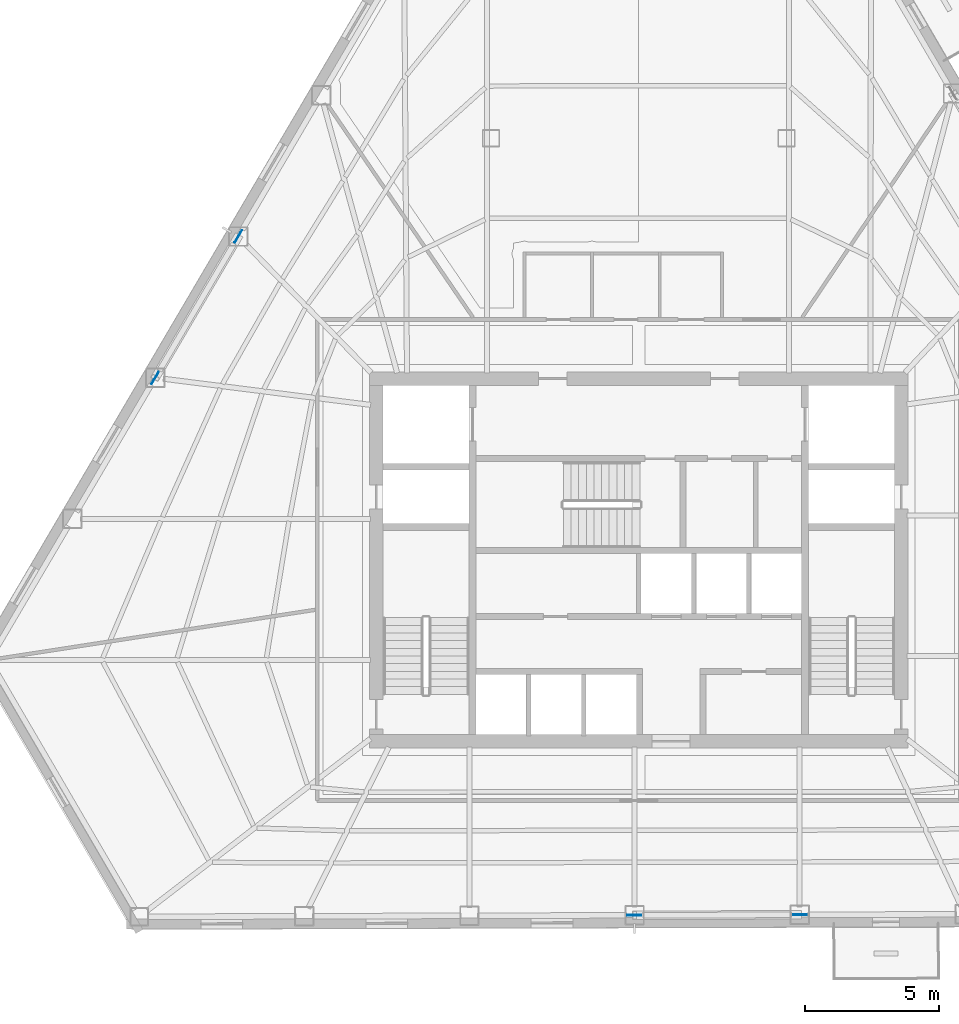
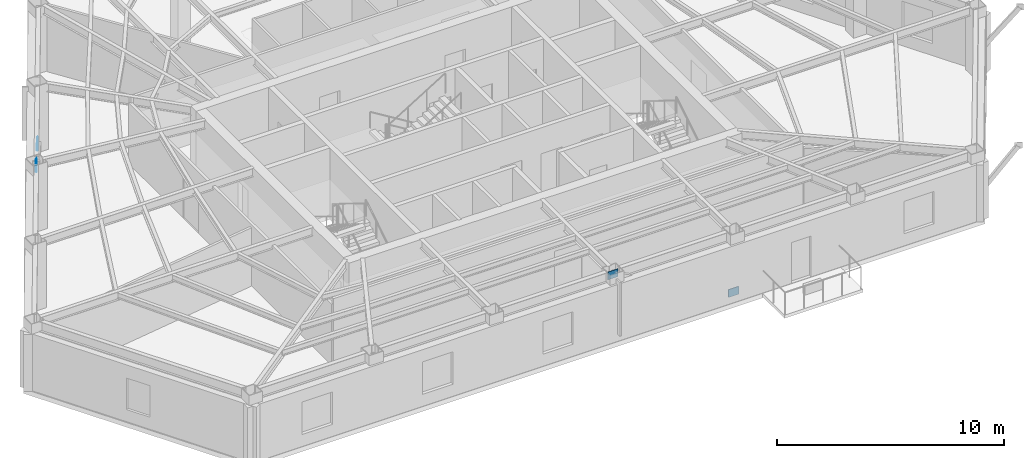
# One storey, part 4 of 10: 4 plates.
"""IFC4 building model written with IfcOpenShell, lengths in metres."""

import ifcopenshell
import ifcopenshell.guid

model = None  # the IFC model being written
_history = None  # IfcOwnerHistory: only IFC2X3 demands one
_inside = {}  # id of a spatial element -> (the spatial element, [elements in it])
_under = {}  # id of a project, library or spatial element -> (it, [spatial elements below it])
_declared = {}  # id of a project -> (the project, [libraries it declares])
_typed = {}  # id of a type object -> (the type object, [elements of that type])
_made_of = {}  # id of a material, layer set ... -> (it, [elements and type objects made of it])


def new_model(schema):
    """Start an empty IFC model of exactly this schema.

    Asked for "IFC4X3", IfcOpenShell would pick the latest addendum, in which some entities
    have other attributes; the version numbers below select the first issue.
    IFC2X3 requires an IfcOwnerHistory on every rooted entity: one is made here for all.
    """
    global model, _history
    if schema == "IFC4X3":
        model = ifcopenshell.file(schema_version=(4, 3, 0, 0))
    else:
        model = ifcopenshell.file(schema=schema)
    _inside.clear()
    _under.clear()
    _declared.clear()
    _typed.clear()
    _made_of.clear()
    _history = None
    if model.schema == "IFC2X3":
        org = make("IfcOrganization", Name="unknown")
        user = make(
            "IfcPersonAndOrganization",
            ThePerson=make("IfcPerson", FamilyName="unknown"),
            TheOrganization=org,
        )
        app = make(
            "IfcApplication",
            ApplicationDeveloper=org,
            Version="unknown",
            ApplicationFullName="unknown",
            ApplicationIdentifier="unknown",
        )
        _history = make(
            "IfcOwnerHistory",
            OwningUser=user,
            OwningApplication=app,
            ChangeAction="ADDED",
            CreationDate=0,
        )
    return model


def make(cls, **values):
    """One entity of the class cls with the attributes given. An attribute that is None is left unset."""
    return model.create_entity(
        cls, **{name: value for name, value in values.items() if value is not None}
    )


def rooted(cls, **values):
    """An entity with a GlobalId (a new one), such as an element, a storey or a relation."""
    return make(cls, GlobalId=ifcopenshell.guid.new(), OwnerHistory=_history, **values)


def si_unit(unit_type, name, prefix=None):
    """IfcSIUnit, for example si_unit("LENGTHUNIT", "METRE", prefix="MILLI")."""
    return make("IfcSIUnit", UnitType=unit_type, Prefix=prefix, Name=name)


def assignment(units):
    """IfcUnitAssignment: the units of a project."""
    return None if units is None else make("IfcUnitAssignment", Units=units)


def point(xyz):
    """IfcCartesianPoint."""
    return None if xyz is None else make("IfcCartesianPoint", Coordinates=xyz)


def direction(xyz):
    """IfcDirection."""
    return None if xyz is None else make("IfcDirection", DirectionRatios=xyz)


def frame(location, z_axis=None, x_axis=None):
    """IfcAxis2Placement3D, a coordinate frame: its origin and axes. An axis left out is left unset."""
    return make(
        "IfcAxis2Placement3D",
        Location=point(location),
        Axis=direction(z_axis),
        RefDirection=direction(x_axis),
    )


def frame_2d(location, x_axis=None):
    """IfcAxis2Placement2D, a coordinate frame in the plane: its origin and x axis."""
    return make(
        "IfcAxis2Placement2D", Location=point(location), RefDirection=direction(x_axis)
    )


def origin():
    """The frame at (0, 0, 0) with its axes left unset."""
    return frame((0.0, 0.0, 0.0))


def origin_2d():
    """The frame at (0, 0) in the plane with its x axis left unset."""
    return frame_2d((0.0, 0.0))


def place(relative_to, where):
    """IfcLocalPlacement: puts the frame where relative to a parent placement (None: the world)."""
    return make(
        "IfcLocalPlacement", PlacementRelTo=relative_to, RelativePlacement=where
    )


def context(
    kind, dimensions, precision=None, world=None, true_north=None, identifier=None
):
    """IfcGeometricRepresentationContext, for example the 3D "Model" context."""
    return make(
        "IfcGeometricRepresentationContext",
        ContextIdentifier=identifier,
        ContextType=kind,
        CoordinateSpaceDimension=dimensions,
        Precision=precision,
        WorldCoordinateSystem=world,
        TrueNorth=true_north,
    )


def subcontext(parent, identifier, kind, view, scale=None):
    """IfcGeometricRepresentationSubContext, for example "Body" below "Model"."""
    return make(
        "IfcGeometricRepresentationSubContext",
        ContextIdentifier=identifier,
        ContextType=kind,
        ParentContext=parent,
        TargetScale=scale,
        TargetView=view,
    )


def project(units=None, contexts=None):
    """IfcProject with its units and contexts."""
    return rooted(
        "IfcProject",
        Name="project",
        RepresentationContexts=contexts,
        UnitsInContext=assignment(units),
    )


def spatial(cls, under=None, at=None, **own):
    """A site, building, storey or space (cls), placed at a placement, below another one or the project."""
    s = rooted(cls, ObjectPlacement=at, **own)
    if under is not None:
        _under.setdefault(under.id(), (under, []))[1].append(s)
    return s


def profile(cls, at=None, kind="AREA", **sizes):
    """A parametric profile (cls). Its sizes go by their IFC names, for example OverallWidth=200.0."""
    return make(cls, ProfileType=kind, Position=at, **sizes)


def rectangle(**sizes):
    """IfcRectangleProfileDef."""
    return profile("IfcRectangleProfileDef", **sizes)


def extrude(swept, where, along, depth):
    """IfcExtrudedAreaSolid: the profile swept, set in the frame where, extruded along a direction by depth."""
    return make(
        "IfcExtrudedAreaSolid",
        SweptArea=swept,
        Position=where,
        ExtrudedDirection=direction(along),
        Depth=depth,
    )


def shape(context_of_items, identifier, shape_type, items):
    """IfcShapeRepresentation: the items that make up one representation, for example the "Body"."""
    return make(
        "IfcShapeRepresentation",
        ContextOfItems=context_of_items,
        RepresentationIdentifier=identifier,
        RepresentationType=shape_type,
        Items=items,
    )


def material(Name=None, Category=None):
    """IfcMaterial."""
    return make("IfcMaterial", Name=Name, Category=Category)


def layer(
    of_material, thickness, ventilated=None, Name=None, Category=None, Priority=None
):
    """IfcMaterialLayer: one layer of a wall or slab, of a material (None: an air gap)."""
    return make(
        "IfcMaterialLayer",
        Material=of_material,
        LayerThickness=thickness,
        IsVentilated=ventilated,
        Name=Name,
        Category=Category,
        Priority=Priority,
    )


def layer_set(layers, Name=None):
    """IfcMaterialLayerSet."""
    return make("IfcMaterialLayerSet", MaterialLayers=layers, LayerSetName=Name)


def made_of(thing, what):
    """Note that an element or type object is made of a material, layer set ...; save() writes the relation."""
    if what is not None:
        _made_of.setdefault(what.id(), (what, []))[1].append(thing)
    return thing


def type_object(cls, material=None, **own):
    """A type object (cls), such as IfcWallType, which elements share."""
    return made_of(rooted(cls, **own), material)


def element(
    cls,
    number,
    at=None,
    inside=None,
    cuts=None,
    type_object=None,
    material=None,
    context=None,
    identifier="Body",
    shape_type=None,
    held_by="IfcProductDefinitionShape",
    body=None,
    shapes=None,
    **own,
):
    """One element of the class cls, such as IfcWall. Its Tag is "e" and its number.

    at: its placement. inside: the storey or other place that contains it. cuts: it is an
    opening in that element (IfcRelVoidsElement). A single representation is given by context,
    identifier, shape_type and body (its items); several are given by shapes. held_by: the class
    of the entity that holds the representations. save() writes the other relations.
    """
    e = rooted(cls, Tag="e%d" % number, ObjectPlacement=at, **own)
    if body is not None:
        shapes = [shape(context, identifier, shape_type, body)]
    if shapes is not None:
        e.Representation = make(held_by, Representations=shapes)
    if inside is not None:
        _inside.setdefault(inside.id(), (inside, []))[1].append(e)
    if cuts is not None:
        rooted(
            "IfcRelVoidsElement", RelatingBuildingElement=cuts, RelatedOpeningElement=e
        )
    if type_object is not None:
        _typed.setdefault(type_object.id(), (type_object, []))[1].append(e)
    return made_of(e, material)


def aggregate(whole, parts):
    """IfcRelAggregates: a whole, such as a stair, and the parts it consists of."""
    return rooted("IfcRelAggregates", RelatingObject=whole, RelatedObjects=parts)


def save(model, path):
    """Write the relations noted so far, then the file.

    IfcRelAggregates (storeys below a building ...), IfcRelContainedInSpatialStructure (elements
    in a storey), IfcRelDefinesByType, IfcRelAssociatesMaterial and IfcRelDeclares: one each for
    every whole, place, type object, material and project.
    """
    for whole, parts in _under.values():
        aggregate(whole, parts)
    for where, things in _inside.values():
        rooted(
            "IfcRelContainedInSpatialStructure",
            RelatedElements=things,
            RelatingStructure=where,
        )
    for kind, things in _typed.values():
        rooted("IfcRelDefinesByType", RelatedObjects=things, RelatingType=kind)
    for what, things in _made_of.values():
        rooted("IfcRelAssociatesMaterial", RelatedObjects=things, RelatingMaterial=what)
    for by, libraries in _declared.values():
        rooted("IfcRelDeclares", RelatingContext=by, RelatedDefinitions=libraries)
    model.write(path)


model = new_model("IFC4")

# Units and contexts
model_context = context("Model", 3, precision=1e-05, world=origin(), true_north=direction((0.0, 1.0)))
body_context = subcontext(model_context, "Body", "Model", "MODEL_VIEW")
ifc_project = project(units=[si_unit("LENGTHUNIT", "METRE"), si_unit("AREAUNIT", "SQUARE_METRE"), si_unit("VOLUMEUNIT", "CUBIC_METRE"), si_unit("PLANEANGLEUNIT", "RADIAN"), si_unit("MASSUNIT", "GRAM", prefix="KILO")], contexts=[model_context])

# Site, building, storey
site_placement = place(None, origin())
site = spatial("IfcSite", under=ifc_project, at=site_placement, CompositionType="ELEMENT")
building_placement = place(site_placement, origin())
building = spatial("IfcBuilding", under=site, at=building_placement, Name="Kavelnor Concourse Tower", CompositionType="ELEMENT")
storey_placement = place(building_placement, frame((0.0, 0.0, 135.550048828125)))
storey = spatial("IfcBuildingStorey", under=building, at=storey_placement, Name="L34", CompositionType="ELEMENT", Elevation=135.550048828125)

# Plates
ifc_material = material(Name="Steel Grade 350", Category="steel")
ifc_layer = layer(ifc_material, 0.031982421875, Name="Steel Grade 350")
ifc_layer_set = layer_set([ifc_layer], Name="Steel Grade 350")
plate_type = type_object("IfcPlateType", Name="PL-GUSSET-TUBE-Z1", PredefinedType="USERDEFINED", material=ifc_layer_set)
for number, where, z_axis, x_axis, name in (
    (1, (23.095947265625, 28.148193359375, 0.010009765625), (0.0, 0.0, 1.0), (-0.50663578889, -0.862160180834, 0.0), "L34 Tube Brace Gusset GP3 F0-B3 End Gusset A"),
    (2, (19.99560546875, 22.87353515625, 3.12353515625), (0.0, 0.0, 1.0), (-0.50663578889, -0.862160180834, 0.0), "L34 Tube Brace Gusset GP3 F0-B3 End Gusset B"),
    (3, (44.0009765625, 2.892333984375, 0.010009765625), (0.0, 0.0, 1.0), (-0.999995598282, -0.002967055375, 0.0), "L34 Tube Brace Gusset GP3 F1-B3 End Gusset A"),
    (4, (37.830810546875, 2.8740234375, 3.12353515625), (0.0, 0.0, 1.0), (-0.999995598282, -0.002967055375, 0.0), "L34 Tube Brace Gusset GP3 F1-B3 End Gusset B"),
):
    element("IfcPlate", number, at=place(storey_placement, frame(where, z_axis=z_axis, x_axis=x_axis)), inside=storey, type_object=plate_type, Name=name, ObjectType="GUSSET_PLATE", PredefinedType="USERDEFINED", context=body_context, shape_type="SweptSolid", body=[
        extrude(rectangle(XDim=0.52001953125, YDim=0.031982421875, at=origin_2d()), origin(), (0.0, 0.0, 1.0), 0.419921875),
    ])

save(model, "model.ifc")
